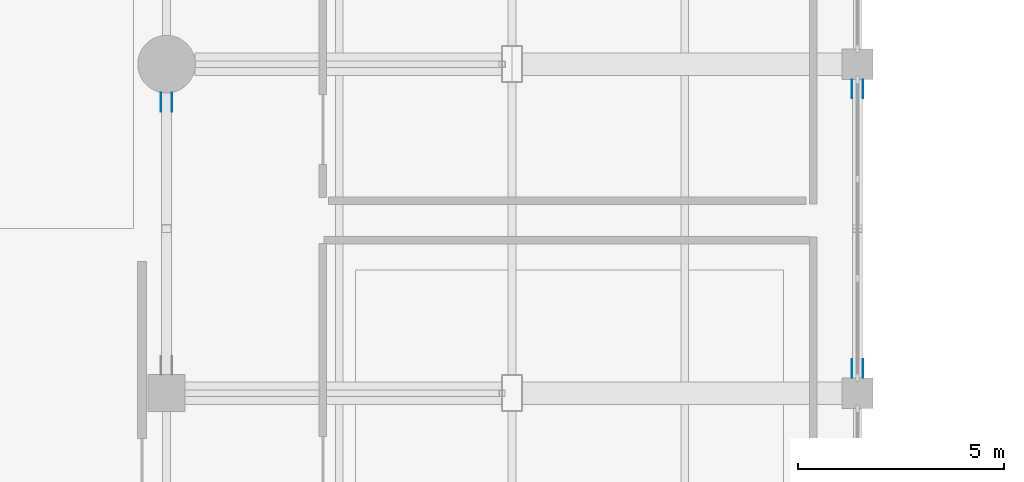
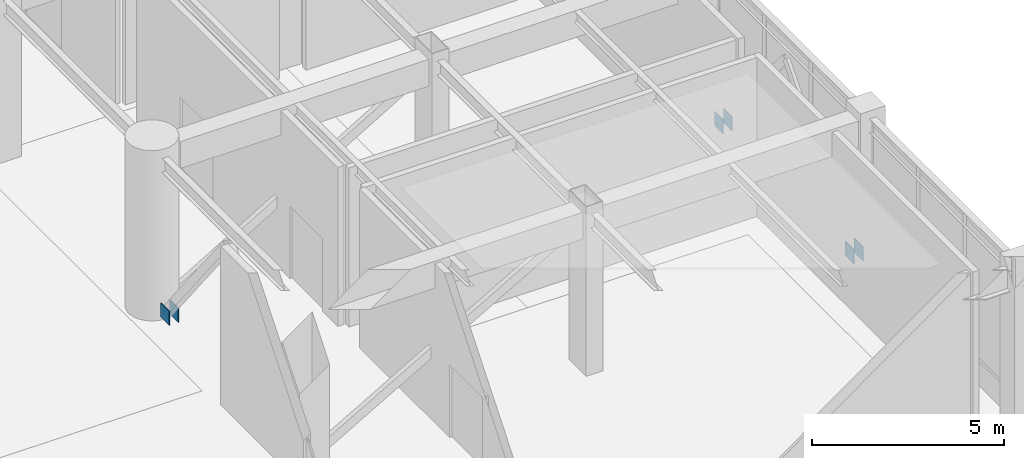
# One storey, part 67 of 79: 6 discrete accessories.
"""IFC4 building model written with IfcOpenShell, lengths in metres."""

from ifc_helpers import new_model, si_unit, direction, frame, origin, origin_2d, place, context, subcontext, project, spatial, rectangle, extrude, material, layer, layer_set, type_object, element, save


model = new_model("IFC4")

# Units and contexts
model_context = context("Model", 3, precision=1e-05, world=origin(), true_north=direction((0.0, 1.0)))
body_context = subcontext(model_context, "Body", "Model", "MODEL_VIEW")
ifc_project = project(units=[si_unit("LENGTHUNIT", "METRE"), si_unit("AREAUNIT", "SQUARE_METRE"), si_unit("VOLUMEUNIT", "CUBIC_METRE"), si_unit("PLANEANGLEUNIT", "RADIAN"), si_unit("MASSUNIT", "GRAM", prefix="KILO")], contexts=[model_context])

# Site, building, storey
site_placement = place(None, origin())
site = spatial("IfcSite", under=ifc_project, at=site_placement, CompositionType="ELEMENT")
building_placement = place(site_placement, origin())
building = spatial("IfcBuilding", under=site, at=building_placement, Name="Naruveol Harbour Congress Hotel", CompositionType="ELEMENT")
storey_placement = place(building_placement, frame((0.0, 0.0, 6.0)))
storey = spatial("IfcBuildingStorey", under=building, at=storey_placement, Name="L01", CompositionType="ELEMENT", Elevation=6.0)

# Discrete accessories
ifc_material = material(Name="Steel SN490", Category="steel")
ifc_layer = layer(ifc_material, 0.02001953125)
ifc_layer_set = layer_set([ifc_layer], Name="Steel SN490")
discrete_accessory_type = type_object("IfcDiscreteAccessoryType", Name="STEEL BRACE GUSSET PLATE 20", PredefinedType="USERDEFINED", material=ifc_layer_set)
for number, where, z_axis, x_axis, name in (
    (1, (50.534912109375, 47.074951171875, 0.10986328125), (0.0, 0.0, 1.0), (0.0, -1.0, 0.0), "Brace gusset plate Lateral chevron brace L01 #12B (A)"),
    (2, (50.264892578125, 47.074951171875, 0.10986328125), (0.0, 0.0, 1.0), (0.0, -1.0, 0.0), "Brace gusset plate Lateral chevron brace L01 #12B (B)"),
    (3, (67.06494140625, 40.60009765625, 0.10986328125), (0.0, 0.0, 1.0), (0.0, 1.0, 0.0), "Brace gusset plate Lateral chevron brace L01 #15A (A)"),
    (4, (67.3349609375, 40.60009765625, 0.10986328125), (0.0, 0.0, 1.0), (0.0, 1.0, 0.0), "Brace gusset plate Lateral chevron brace L01 #15A (B)"),
    (5, (67.3349609375, 47.39990234375, 0.10986328125), (0.0, 0.0, 1.0), (0.0, -1.0, 0.0), "Brace gusset plate Lateral chevron brace L01 #15B (A)"),
    (6, (67.06494140625, 47.39990234375, 0.10986328125), (0.0, 0.0, 1.0), (0.0, -1.0, 0.0), "Brace gusset plate Lateral chevron brace L01 #15B (B)"),
):
    element("IfcDiscreteAccessory", number, at=place(storey_placement, frame(where, z_axis=z_axis, x_axis=x_axis)), inside=storey, type_object=discrete_accessory_type, Name=name, ObjectType="BRACE GUSSET PLATE", PredefinedType="USERDEFINED", context=body_context, shape_type="SweptSolid", body=[
        extrude(rectangle(XDim=0.449951171875, YDim=0.02001953125, at=origin_2d()), origin(), (0.0, 0.0, 1.0), 0.449951171875),
    ])

save(model, "model.ifc")
